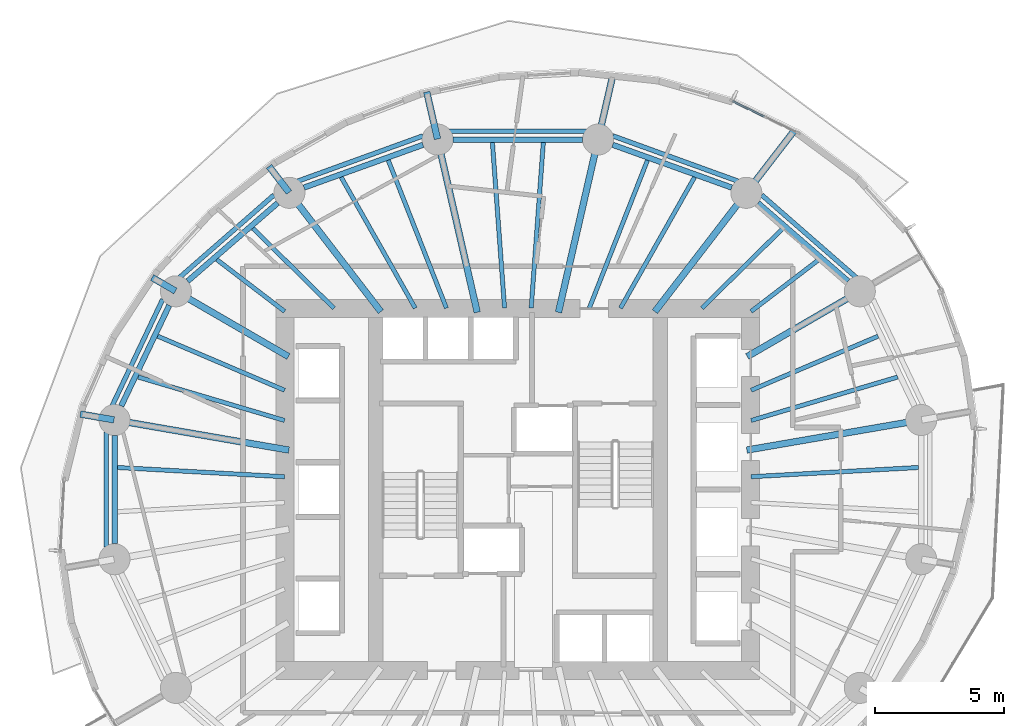
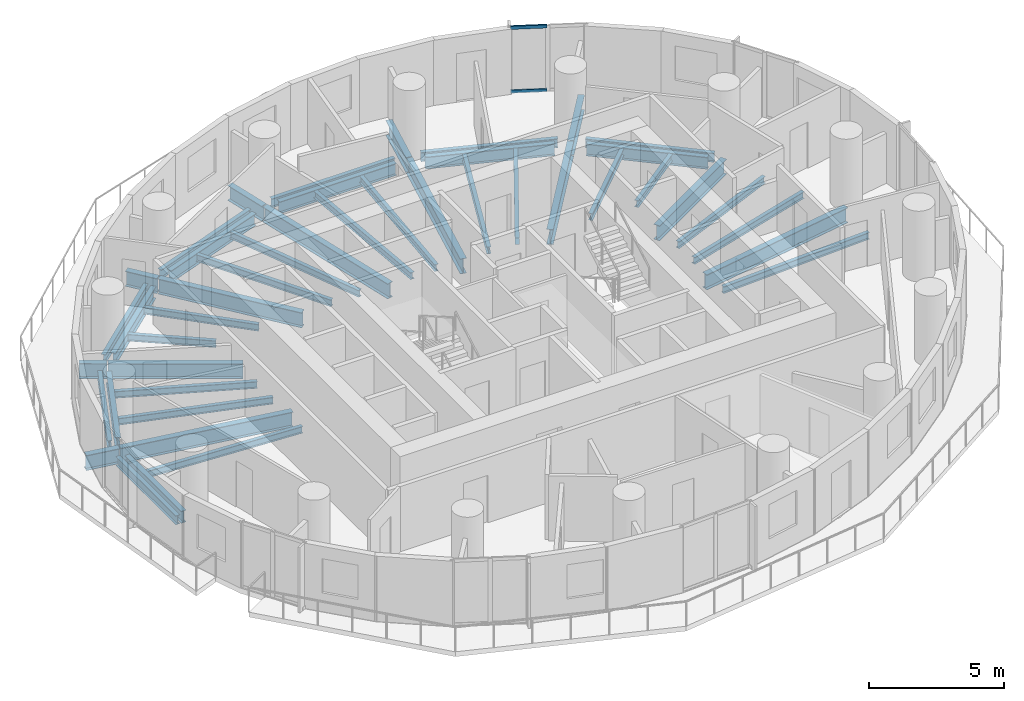
# One storey, part 4 of 15: 44 beams, 2 members, 1 element without a shape of its own.
"""IFC4 building model written with IfcOpenShell, lengths in metres."""

from ifc_helpers import new_model, si_unit, direction, frame, origin, origin_2d, place, context, subcontext, project, spatial, rectangle, i_section, extrude, material, material_profile, profile_set, type_object, element, aggregate, save


model = new_model("IFC4")

# Units and contexts
model_context = context("Model", 3, precision=1e-05, world=origin(), true_north=direction((0.0, 1.0)))
body_context = subcontext(model_context, "Body", "Model", "MODEL_VIEW")
ifc_project = project(units=[si_unit("LENGTHUNIT", "METRE"), si_unit("AREAUNIT", "SQUARE_METRE"), si_unit("VOLUMEUNIT", "CUBIC_METRE"), si_unit("PLANEANGLEUNIT", "RADIAN"), si_unit("MASSUNIT", "GRAM", prefix="KILO")], contexts=[model_context])

# Site, building, storey
site_placement = place(None, origin())
site = spatial("IfcSite", under=ifc_project, at=site_placement, CompositionType="ELEMENT")
building_placement = place(site_placement, origin())
building = spatial("IfcBuilding", under=site, at=building_placement, Name="Veldorim Arch Residences", CompositionType="ELEMENT")
storey_placement = place(building_placement, frame((0.0, 0.0, 106.080078125)))
storey = spatial("IfcBuildingStorey", under=building, at=storey_placement, Name="L31", CompositionType="ELEMENT", Elevation=106.080078125)

# Beams
ifc_material_1 = material(Name="Steel S355", Category="steel")
ifc_material_profile_1 = material_profile(ifc_material_1, i_section(OverallWidth=0.2119140625, OverallDepth=0.54443359375, WebThickness=0.0126953125, FlangeThickness=0.021240234375, at=origin_2d()), Name="UB533x210x122")
ifc_profile_set_1 = profile_set([ifc_material_profile_1], Name="Steel S355")
beam_type_1 = type_object("IfcBeamType", Name="Structural Steel Beam UB533x210x122", PredefinedType="BEAM", material=ifc_profile_set_1)
beam_1_placement = place(storey_placement, frame((44.767333984375, 32.060302734375, -0.51220703125), z_axis=(-0.755244952556, 0.655442645576, 0.0), x_axis=(-0.655442645576, -0.755244952556, 0.0)))
element("IfcBeam", 1, at=beam_1_placement, inside=storey, type_object=beam_type_1, Name="L31 perimeter ring tie beam 02", PredefinedType="BEAM", context=body_context, shape_type="SweptSolid", body=[
    extrude(i_section(OverallWidth=0.2119140625, OverallDepth=0.54443359375, WebThickness=0.0126953125, FlangeThickness=0.021240234375, at=origin_2d()), origin(), (0.0, 0.0, 1.0), 4.608642578125),
])
beam_2_placement = place(storey_placement, frame((40.26904296875, 35.67724609375, -0.51220703125), z_axis=(-0.941041944493, 0.338289903343, 0.0), x_axis=(-0.338289903343, -0.941041944493, 0.0)))
element("IfcBeam", 2, at=beam_2_placement, inside=storey, type_object=beam_type_1, Name="L31 perimeter ring tie beam 03", PredefinedType="BEAM", context=body_context, shape_type="SweptSolid", body=[
    extrude(i_section(OverallWidth=0.2119140625, OverallDepth=0.54443359375, WebThickness=0.0126953125, FlangeThickness=0.021240234375, at=origin_2d()), origin(), (0.0, 0.0, 1.0), 4.890869140625),
])
beam_3_placement = place(storey_placement, frame((34.501953125, 37.534912109375, -0.51220703125), z_axis=(-1.0, 0.0, 0.0), x_axis=(0.0, -1.0, 0.0)))
element("IfcBeam", 3, at=beam_3_placement, inside=storey, type_object=beam_type_1, Name="L31 perimeter ring tie beam 04", PredefinedType="BEAM", context=body_context, shape_type="SweptSolid", body=[
    extrude(i_section(OverallWidth=0.2119140625, OverallDepth=0.54443359375, WebThickness=0.0126953125, FlangeThickness=0.021240234375, at=origin_2d()), origin(), (0.0, 0.0, 1.0), 5.00390625),
])
beam_4_placement = place(storey_placement, frame((28.33349609375, 37.331787109375, -0.51220703125), z_axis=(-0.941041944493, -0.338289903343, 0.0), x_axis=(0.338289903343, -0.941041944493, 0.0)))
element("IfcBeam", 4, at=beam_4_placement, inside=storey, type_object=beam_type_1, Name="L31 perimeter ring tie beam 05", PredefinedType="BEAM", context=body_context, shape_type="SweptSolid", body=[
    extrude(i_section(OverallWidth=0.2119140625, OverallDepth=0.54443359375, WebThickness=0.0126953125, FlangeThickness=0.021240234375, at=origin_2d()), origin(), (0.0, 0.0, 1.0), 4.890869140625),
])
beam_5_placement = place(storey_placement, frame((22.71337890625, 35.0810546875, -0.51220703125), z_axis=(-0.755244952556, -0.655442645576, 0.0), x_axis=(0.655442645576, -0.755244952556, 0.0)))
element("IfcBeam", 5, at=beam_5_placement, inside=storey, type_object=beam_type_1, Name="L31 perimeter ring tie beam 06", PredefinedType="BEAM", context=body_context, shape_type="SweptSolid", body=[
    extrude(i_section(OverallWidth=0.2119140625, OverallDepth=0.54443359375, WebThickness=0.0126953125, FlangeThickness=0.021240234375, at=origin_2d()), origin(), (0.0, 0.0, 1.0), 4.608642578125),
])
beam_6_placement = place(storey_placement, frame((18.521240234375, 31.12548828125, -0.51220703125), z_axis=(-0.430720154476, -0.902485539235, 0.0), x_axis=(0.902485539235, -0.430720154476, 0.0)))
element("IfcBeam", 6, at=beam_6_placement, inside=storey, type_object=beam_type_1, Name="L31 perimeter ring tie beam 07", PredefinedType="BEAM", context=body_context, shape_type="SweptSolid", body=[
    extrude(i_section(OverallWidth=0.2119140625, OverallDepth=0.54443359375, WebThickness=0.0126953125, FlangeThickness=0.021240234375, at=origin_2d()), origin(), (0.0, 0.0, 1.0), 4.312255859375),
])
beam_7_placement = place(storey_placement, frame((16.405517578125, 26.09228515625, -0.51220703125), z_axis=(0.0, -1.0, 0.0), x_axis=(1.0, 0.0, 0.0)))
element("IfcBeam", 7, at=beam_7_placement, inside=storey, type_object=beam_type_1, Name="L31 perimeter ring tie beam 08", PredefinedType="BEAM", context=body_context, shape_type="SweptSolid", body=[
    extrude(i_section(OverallWidth=0.2119140625, OverallDepth=0.54443359375, WebThickness=0.0126953125, FlangeThickness=0.021240234375, at=origin_2d()), origin(), (0.0, 0.0, 1.0), 4.1845703125),
])
ifc_material_2 = material(Name="Steel S355", Category="steel")
ifc_material_profile_2 = material_profile(ifc_material_2, i_section(OverallWidth=0.25439453125, OverallDepth=0.6875, WebThickness=0.01318359375, FlangeThickness=0.02099609375, at=origin_2d()), Name="UB686x254x152")
ifc_profile_set_2 = profile_set([ifc_material_profile_2], Name="Steel S355")
beam_type_2 = type_object("IfcBeamType", Name="Structural Steel GIRDER UB686x254x152", PredefinedType="USERDEFINED", material=ifc_profile_set_2)
beam_8_placement = place(storey_placement, frame((40.852294921875, 25.5283203125, -0.583740234375), z_axis=(0.985426622718, 0.17010106184, 0.0), x_axis=(-0.17010106184, 0.985426622718, 0.0)))
element("IfcBeam", 8, at=beam_8_placement, inside=storey, type_object=beam_type_2, Name="L31 radial floor girder 01", ObjectType="GIRDER", PredefinedType="USERDEFINED", context=body_context, shape_type="SweptSolid", body=[
    extrude(i_section(OverallWidth=0.25439453125, OverallDepth=0.6875, WebThickness=0.01318359375, FlangeThickness=0.02099609375, at=origin_2d()), origin(), (0.0, 0.0, 1.0), 6.82177734375),
])
beam_9_placement = place(storey_placement, frame((40.8701171875, 29.14404296875, -0.583740234375), z_axis=(0.865048957682, 0.501687453314, 0.0), x_axis=(-0.501687453314, 0.865048957682, 0.0)))
element("IfcBeam", 9, at=beam_9_placement, inside=storey, type_object=beam_type_2, Name="L31 radial floor girder 02", ObjectType="GIRDER", PredefinedType="USERDEFINED", context=body_context, shape_type="SweptSolid", body=[
    extrude(i_section(OverallWidth=0.25439453125, OverallDepth=0.6875, WebThickness=0.01318359375, FlangeThickness=0.02099609375, at=origin_2d()), origin(), (0.0, 0.0, 1.0), 5.009033203125),
])
beam_10_placement = place(storey_placement, frame((37.297607421875, 30.881103515625, -0.583740234375), z_axis=(0.609994628196, 0.792405548676, 0.0), x_axis=(-0.792405548676, 0.609994628196, 0.0)))
element("IfcBeam", 10, at=beam_10_placement, inside=storey, type_object=beam_type_2, Name="L31 radial floor girder 03", ObjectType="GIRDER", PredefinedType="USERDEFINED", context=body_context, shape_type="SweptSolid", body=[
    extrude(i_section(OverallWidth=0.25439453125, OverallDepth=0.6875, WebThickness=0.01318359375, FlangeThickness=0.02099609375, at=origin_2d()), origin(), (0.0, 0.0, 1.0), 5.776611328125),
])
beam_11_placement = place(storey_placement, frame((40.845703125, 35.489990234375, -0.583740234375), z_axis=(0.610006503027, 0.792396407277, 0.0), x_axis=(-0.792396407277, 0.610006503027, 0.0)))
element("IfcBeam", 11, at=beam_11_placement, inside=storey, type_object=beam_type_2, Name="L31 radial edge cantilever girder 03", ObjectType="GIRDER", PredefinedType="USERDEFINED", context=body_context, shape_type="SweptSolid", body=[
    extrude(i_section(OverallWidth=0.25439453125, OverallDepth=0.6875, WebThickness=0.01318359375, FlangeThickness=0.02099609375, at=origin_2d()), origin(), (0.0, 0.0, 1.0), 2.99169921875),
])
beam_12_placement = place(storey_placement, frame((33.57080078125, 30.853759765625, -0.583740234375), z_axis=(0.223374742148, 0.97473264261, 0.0), x_axis=(-0.97473264261, 0.223374742148, 0.0)))
element("IfcBeam", 12, at=beam_12_placement, inside=storey, type_object=beam_type_2, Name="L31 radial floor girder 04", ObjectType="GIRDER", PredefinedType="USERDEFINED", context=body_context, shape_type="SweptSolid", body=[
    extrude(i_section(OverallWidth=0.25439453125, OverallDepth=0.6875, WebThickness=0.01318359375, FlangeThickness=0.02099609375, at=origin_2d()), origin(), (0.0, 0.0, 1.0), 6.834228515625),
])
beam_13_placement = place(storey_placement, frame((35.1064453125, 37.55419921875, -0.583740234375), z_axis=(0.223351330049, 0.974738007552, 0.0), x_axis=(-0.974738007552, 0.223351330049, 0.0)))
element("IfcBeam", 13, at=beam_13_placement, inside=storey, type_object=beam_type_2, Name="L31 radial edge cantilever girder 04", ObjectType="GIRDER", PredefinedType="USERDEFINED", context=body_context, shape_type="SweptSolid", body=[
    extrude(i_section(OverallWidth=0.25439453125, OverallDepth=0.6875, WebThickness=0.01318359375, FlangeThickness=0.02099609375, at=origin_2d()), origin(), (0.0, 0.0, 1.0), 2.530517578125),
])
beam_14_placement = place(storey_placement, frame((30.42919921875, 30.853759765625, -0.583740234375), z_axis=(-0.223374742148, 0.97473264261, 0.0), x_axis=(-0.97473264261, -0.223374742148, 0.0)))
element("IfcBeam", 14, at=beam_14_placement, inside=storey, type_object=beam_type_2, Name="L31 radial floor girder 05", ObjectType="GIRDER", PredefinedType="USERDEFINED", context=body_context, shape_type="SweptSolid", body=[
    extrude(i_section(OverallWidth=0.25439453125, OverallDepth=0.6875, WebThickness=0.01318359375, FlangeThickness=0.02099609375, at=origin_2d()), origin(), (0.0, 0.0, 1.0), 6.834228515625),
])
beam_15_placement = place(storey_placement, frame((28.8935546875, 37.55419921875, -0.583740234375), z_axis=(-0.22332180692, 0.974744772007, 0.0), x_axis=(-0.974744772007, -0.22332180692, 0.0)))
element("IfcBeam", 15, at=beam_15_placement, inside=storey, type_object=beam_type_2, Name="L31 radial edge cantilever girder 05", ObjectType="GIRDER", PredefinedType="USERDEFINED", context=body_context, shape_type="SweptSolid", body=[
    extrude(i_section(OverallWidth=0.25439453125, OverallDepth=0.6875, WebThickness=0.01318359375, FlangeThickness=0.02099609375, at=origin_2d()), origin(), (0.0, 0.0, 1.0), 1.8671875),
])
beam_16_placement = place(storey_placement, frame((26.702392578125, 30.881103515625, -0.583740234375), z_axis=(-0.609994628196, 0.792405548676, 0.0), x_axis=(-0.792405548676, -0.609994628196, 0.0)))
element("IfcBeam", 16, at=beam_16_placement, inside=storey, type_object=beam_type_2, Name="L31 radial floor girder 06", ObjectType="GIRDER", PredefinedType="USERDEFINED", context=body_context, shape_type="SweptSolid", body=[
    extrude(i_section(OverallWidth=0.25439453125, OverallDepth=0.6875, WebThickness=0.01318359375, FlangeThickness=0.02099609375, at=origin_2d()), origin(), (0.0, 0.0, 1.0), 5.776611328125),
])
beam_17_placement = place(storey_placement, frame((23.154296875, 35.489990234375, -0.583740234375), z_axis=(-0.610026114637, 0.792381309384, 0.0), x_axis=(-0.792381309384, -0.610026114637, 0.0)))
element("IfcBeam", 17, at=beam_17_placement, inside=storey, type_object=beam_type_2, Name="L31 radial edge cantilever girder 06", ObjectType="GIRDER", PredefinedType="USERDEFINED", context=body_context, shape_type="SweptSolid", body=[
    extrude(i_section(OverallWidth=0.25439453125, OverallDepth=0.6875, WebThickness=0.01318359375, FlangeThickness=0.02099609375, at=origin_2d()), origin(), (0.0, 0.0, 1.0), 1.27197265625),
])
beam_18_placement = place(storey_placement, frame((23.1298828125, 29.14404296875, -0.583740234375), z_axis=(-0.865048957682, 0.501687453314, 0.0), x_axis=(-0.501687453314, -0.865048957682, 0.0)))
element("IfcBeam", 18, at=beam_18_placement, inside=storey, type_object=beam_type_2, Name="L31 radial floor girder 07", ObjectType="GIRDER", PredefinedType="USERDEFINED", context=body_context, shape_type="SweptSolid", body=[
    extrude(i_section(OverallWidth=0.25439453125, OverallDepth=0.6875, WebThickness=0.01318359375, FlangeThickness=0.02099609375, at=origin_2d()), origin(), (0.0, 0.0, 1.0), 5.009033203125),
])
beam_19_placement = place(storey_placement, frame((18.76220703125, 31.677001953125, -0.583740234375), z_axis=(-0.865063622803, 0.501662165708, 0.0), x_axis=(-0.501662165708, -0.865063622803, 0.0)))
element("IfcBeam", 19, at=beam_19_placement, inside=storey, type_object=beam_type_2, Name="L31 radial edge cantilever girder 07", ObjectType="GIRDER", PredefinedType="USERDEFINED", context=body_context, shape_type="SweptSolid", body=[
    extrude(i_section(OverallWidth=0.25439453125, OverallDepth=0.6875, WebThickness=0.01318359375, FlangeThickness=0.02099609375, at=origin_2d()), origin(), (0.0, 0.0, 1.0), 1.04541015625),
])
beam_20_placement = place(storey_placement, frame((23.147705078125, 25.5283203125, -0.583740234375), z_axis=(-0.985426622718, 0.17010106184, 0.0), x_axis=(-0.17010106184, -0.985426622718, 0.0)))
element("IfcBeam", 20, at=beam_20_placement, inside=storey, type_object=beam_type_2, Name="L31 radial floor girder 08", ObjectType="GIRDER", PredefinedType="USERDEFINED", context=body_context, shape_type="SweptSolid", body=[
    extrude(i_section(OverallWidth=0.25439453125, OverallDepth=0.6875, WebThickness=0.01318359375, FlangeThickness=0.02099609375, at=origin_2d()), origin(), (0.0, 0.0, 1.0), 6.82177734375),
])
beam_21_placement = place(storey_placement, frame((16.3857421875, 26.695556640625, -0.583740234375), z_axis=(-0.985414257331, 0.170172681262, 0.0), x_axis=(-0.170172681262, -0.985414257331, 0.0)))
element("IfcBeam", 21, at=beam_21_placement, inside=storey, type_object=beam_type_2, Name="L31 radial edge cantilever girder 08", ObjectType="GIRDER", PredefinedType="USERDEFINED", context=body_context, shape_type="SweptSolid", body=[
    extrude(i_section(OverallWidth=0.25439453125, OverallDepth=0.6875, WebThickness=0.01318359375, FlangeThickness=0.02099609375, at=origin_2d()), origin(), (0.0, 0.0, 1.0), 1.32275390625),
])
ifc_material_3 = material(Name="Steel S355", Category="steel")
ifc_material_profile_3 = material_profile(ifc_material_3, i_section(OverallWidth=0.165771484375, OverallDepth=0.306640625, WebThickness=0.006591796875, FlangeThickness=0.01171875, at=origin_2d()), Name="UB305x165x46")
ifc_profile_set_3 = profile_set([ifc_material_profile_3], Name="Steel S355")
beam_type_3 = type_object("IfcBeamType", Name="Structural Steel Joist UB305x165x46", PredefinedType="JOIST", material=ifc_profile_set_3)
beam_22_placement = place(storey_placement, frame((41.019287109375, 26.673583984375, -0.393310546875), z_axis=(0.958753061488, 0.284240333324, 0.0), x_axis=(-0.284240333324, 0.958753061488, 0.0)))
element("IfcBeam", 22, at=beam_22_placement, inside=storey, type_object=beam_type_3, Name="L31 secondary radial floor joist 01-1", PredefinedType="JOIST", context=body_context, shape_type="SweptSolid", body=[
    extrude(i_section(OverallWidth=0.165771484375, OverallDepth=0.306640625, WebThickness=0.006591796875, FlangeThickness=0.01171875, at=origin_2d()), origin(), (0.0, 0.0, 1.0), 5.906005859375),
])
beam_23_placement = place(storey_placement, frame((41.018310546875, 27.841552734375, -0.393310546875), z_axis=(0.919997395122, 0.391924473552, 0.0), x_axis=(-0.391924473552, 0.919997395122, 0.0)))
element("IfcBeam", 23, at=beam_23_placement, inside=storey, type_object=beam_type_3, Name="L31 secondary radial floor joist 01-2", PredefinedType="JOIST", context=body_context, shape_type="SweptSolid", body=[
    extrude(i_section(OverallWidth=0.165771484375, OverallDepth=0.306640625, WebThickness=0.006591796875, FlangeThickness=0.01171875, at=origin_2d()), origin(), (0.0, 0.0, 1.0), 5.334716796875),
])
beam_24_placement = place(storey_placement, frame((41.015869140625, 30.888427734375, -0.393310546875), z_axis=(0.794594763594, 0.60714014994, 0.0), x_axis=(-0.60714014994, 0.794594763594, 0.0)))
element("IfcBeam", 24, at=beam_24_placement, inside=storey, type_object=beam_type_3, Name="L31 secondary radial floor joist 02-1", PredefinedType="JOIST", context=body_context, shape_type="SweptSolid", body=[
    extrude(i_section(OverallWidth=0.165771484375, OverallDepth=0.306640625, WebThickness=0.006591796875, FlangeThickness=0.01171875, at=origin_2d()), origin(), (0.0, 0.0, 1.0), 3.30419921875),
])
beam_25_placement = place(storey_placement, frame((39.114013671875, 31.013916015625, -0.393310546875), z_axis=(0.712111629941, 0.702066255066, 0.0), x_axis=(-0.702066255066, 0.712111629941, 0.0)))
element("IfcBeam", 25, at=beam_25_placement, inside=storey, type_object=beam_type_3, Name="L31 secondary radial floor joist 02-2", PredefinedType="JOIST", context=body_context, shape_type="SweptSolid", body=[
    extrude(i_section(OverallWidth=0.165771484375, OverallDepth=0.306640625, WebThickness=0.006591796875, FlangeThickness=0.01171875, at=origin_2d()), origin(), (0.0, 0.0, 1.0), 4.39892578125),
])
beam_26_placement = place(storey_placement, frame((35.96826171875, 31.017333984375, -0.393310546875), z_axis=(0.492227411199, 0.870466642476, 0.0), x_axis=(-0.870466642476, 0.492227411199, 0.0)))
element("IfcBeam", 26, at=beam_26_placement, inside=storey, type_object=beam_type_3, Name="L31 secondary radial floor joist 03-1", PredefinedType="JOIST", context=body_context, shape_type="SweptSolid", body=[
    extrude(i_section(OverallWidth=0.165771484375, OverallDepth=0.306640625, WebThickness=0.006591796875, FlangeThickness=0.01171875, at=origin_2d()), origin(), (0.0, 0.0, 1.0), 5.81494140625),
])
beam_27_placement = place(storey_placement, frame((34.761962890625, 31.0185546875, -0.393310546875), z_axis=(0.366194870364, 0.930538186707, 0.0), x_axis=(-0.930538186707, 0.366194870364, 0.0)))
element("IfcBeam", 27, at=beam_27_placement, inside=storey, type_object=beam_type_3, Name="L31 secondary radial floor joist 03-2", PredefinedType="JOIST", context=body_context, shape_type="SweptSolid", body=[
    extrude(i_section(OverallWidth=0.165771484375, OverallDepth=0.306640625, WebThickness=0.006591796875, FlangeThickness=0.01171875, at=origin_2d()), origin(), (0.0, 0.0, 1.0), 6.1396484375),
])
for number, where, z_axis, x_axis, name in (
    (28, (32.514892578125, 31.02001953125, -0.393310546875), (0.073143494169, 0.997321427254, 0.0), (-0.997321427254, 0.073143494169, 0.0), "L31 secondary radial floor joist 04-1"),
    (29, (31.485107421875, 31.02001953125, -0.393310546875), (-0.073143494169, 0.997321427254, 0.0), (-0.997321427254, -0.073143494169, 0.0), "L31 secondary radial floor joist 04-2"),
):
    element("IfcBeam", number, at=place(storey_placement, frame(where, z_axis=z_axis, x_axis=x_axis)), inside=storey, type_object=beam_type_3, Name=name, PredefinedType="JOIST", context=body_context, shape_type="SweptSolid", body=[
        extrude(i_section(OverallWidth=0.165771484375, OverallDepth=0.306640625, WebThickness=0.006591796875, FlangeThickness=0.01171875, at=origin_2d()), origin(), (0.0, 0.0, 1.0), 6.421875),
    ])
beam_28_placement = place(storey_placement, frame((29.238037109375, 31.0185546875, -0.393310546875), z_axis=(-0.366194870364, 0.930538186707, 0.0), x_axis=(-0.930538186707, -0.366194870364, 0.0)))
element("IfcBeam", 30, at=beam_28_placement, inside=storey, type_object=beam_type_3, Name="L31 secondary radial floor joist 05-1", PredefinedType="JOIST", context=body_context, shape_type="SweptSolid", body=[
    extrude(i_section(OverallWidth=0.165771484375, OverallDepth=0.306640625, WebThickness=0.006591796875, FlangeThickness=0.01171875, at=origin_2d()), origin(), (0.0, 0.0, 1.0), 6.1396484375),
])
beam_29_placement = place(storey_placement, frame((28.03173828125, 31.017333984375, -0.393310546875), z_axis=(-0.492227411199, 0.870466642476, 0.0), x_axis=(-0.870466642476, -0.492227411199, 0.0)))
element("IfcBeam", 31, at=beam_29_placement, inside=storey, type_object=beam_type_3, Name="L31 secondary radial floor joist 05-2", PredefinedType="JOIST", context=body_context, shape_type="SweptSolid", body=[
    extrude(i_section(OverallWidth=0.165771484375, OverallDepth=0.306640625, WebThickness=0.006591796875, FlangeThickness=0.01171875, at=origin_2d()), origin(), (0.0, 0.0, 1.0), 5.81494140625),
])
beam_30_placement = place(storey_placement, frame((24.885986328125, 31.013916015625, -0.393310546875), z_axis=(-0.712111629941, 0.702066255066, 0.0), x_axis=(-0.702066255066, -0.712111629941, 0.0)))
element("IfcBeam", 32, at=beam_30_placement, inside=storey, type_object=beam_type_3, Name="L31 secondary radial floor joist 06-1", PredefinedType="JOIST", context=body_context, shape_type="SweptSolid", body=[
    extrude(i_section(OverallWidth=0.165771484375, OverallDepth=0.306640625, WebThickness=0.006591796875, FlangeThickness=0.01171875, at=origin_2d()), origin(), (0.0, 0.0, 1.0), 4.39892578125),
])
beam_31_placement = place(storey_placement, frame((22.984130859375, 30.888427734375, -0.393310546875), z_axis=(-0.794594763594, 0.60714014994, 0.0), x_axis=(-0.60714014994, -0.794594763594, 0.0)))
element("IfcBeam", 33, at=beam_31_placement, inside=storey, type_object=beam_type_3, Name="L31 secondary radial floor joist 06-2", PredefinedType="JOIST", context=body_context, shape_type="SweptSolid", body=[
    extrude(i_section(OverallWidth=0.165771484375, OverallDepth=0.306640625, WebThickness=0.006591796875, FlangeThickness=0.01171875, at=origin_2d()), origin(), (0.0, 0.0, 1.0), 3.30419921875),
])
beam_32_placement = place(storey_placement, frame((22.981689453125, 27.841552734375, -0.393310546875), z_axis=(-0.919997395122, 0.391924473552, 0.0), x_axis=(-0.391924473552, -0.919997395122, 0.0)))
element("IfcBeam", 34, at=beam_32_placement, inside=storey, type_object=beam_type_3, Name="L31 secondary radial floor joist 07-1", PredefinedType="JOIST", context=body_context, shape_type="SweptSolid", body=[
    extrude(i_section(OverallWidth=0.165771484375, OverallDepth=0.306640625, WebThickness=0.006591796875, FlangeThickness=0.01171875, at=origin_2d()), origin(), (0.0, 0.0, 1.0), 5.334716796875),
])
beam_33_placement = place(storey_placement, frame((22.980712890625, 26.673583984375, -0.393310546875), z_axis=(-0.958753061488, 0.284240333324, 0.0), x_axis=(-0.284240333324, -0.958753061488, 0.0)))
element("IfcBeam", 35, at=beam_33_placement, inside=storey, type_object=beam_type_3, Name="L31 secondary radial floor joist 07-2", PredefinedType="JOIST", context=body_context, shape_type="SweptSolid", body=[
    extrude(i_section(OverallWidth=0.165771484375, OverallDepth=0.306640625, WebThickness=0.006591796875, FlangeThickness=0.01171875, at=origin_2d()), origin(), (0.0, 0.0, 1.0), 5.906005859375),
])
for number, where, z_axis, x_axis, name in (
    (36, (22.97998046875, 24.498291015625, -0.393310546875), (-0.99847713097, 0.055167190702, 0.0), (-0.055167190702, -0.99847713097, 0.0), "L31 secondary radial floor joist 08-1"),
    (37, (41.02001953125, 24.498291015625, -0.393310546875), (0.99847713097, 0.055167190702, 0.0), (-0.055167190702, 0.99847713097, 0.0), "L31 secondary radial floor joist 16-2"),
):
    element("IfcBeam", number, at=place(storey_placement, frame(where, z_axis=z_axis, x_axis=x_axis)), inside=storey, type_object=beam_type_3, Name=name, PredefinedType="JOIST", context=body_context, shape_type="SweptSolid", body=[
        extrude(i_section(OverallWidth=0.165771484375, OverallDepth=0.306640625, WebThickness=0.006591796875, FlangeThickness=0.01171875, at=origin_2d()), origin(), (0.0, 0.0, 1.0), 6.474365234375),
    ])
ifc_material_4 = material(Name="Steel S355", Category="steel")
ifc_material_profile_4 = material_profile(ifc_material_4, i_section(OverallWidth=0.1787109375, OverallDepth=0.409423828125, WebThickness=0.0087890625, FlangeThickness=0.014404296875, at=origin_2d()), Name="UB406x178x67")
ifc_profile_set_4 = profile_set([ifc_material_profile_4], Name="Steel S355")
beam_type_4 = type_object("IfcBeamType", Name="Structural Steel Spandrel UB406x178x67", PredefinedType="SPANDREL", material=ifc_profile_set_4)
beam_34_placement = place(storey_placement, frame((45.108154296875, 32.1796875, -0.46484375), z_axis=(-0.753323239074, 0.65765043714, 0.0), x_axis=(-0.65765043714, -0.753323239074, 0.0)))
element("IfcBeam", 38, at=beam_34_placement, inside=storey, type_object=beam_type_4, Name="L31 perimeter chord spandrel beam 02", PredefinedType="SPANDREL", context=body_context, shape_type="SweptSolid", body=[
    extrude(i_section(OverallWidth=0.1787109375, OverallDepth=0.409423828125, WebThickness=0.0087890625, FlangeThickness=0.014404296875, at=origin_2d()), origin(), (0.0, 0.0, 1.0), 4.879150390625),
])
beam_35_placement = place(storey_placement, frame((40.538330078125, 35.91552734375, -0.46484375), z_axis=(-0.940307501418, 0.340326024244, 0.0), x_axis=(-0.340326024244, -0.940307501418, 0.0)))
element("IfcBeam", 39, at=beam_35_placement, inside=storey, type_object=beam_type_4, Name="L31 perimeter chord spandrel beam 03", PredefinedType="SPANDREL", context=body_context, shape_type="SweptSolid", body=[
    extrude(i_section(OverallWidth=0.1787109375, OverallDepth=0.409423828125, WebThickness=0.0087890625, FlangeThickness=0.014404296875, at=origin_2d()), origin(), (0.0, 0.0, 1.0), 5.175048828125),
])
beam_36_placement = place(storey_placement, frame((34.647705078125, 37.8564453125, -0.46484375), z_axis=(-1.0, 0.0, 0.0), x_axis=(0.0, -1.0, 0.0)))
element("IfcBeam", 40, at=beam_36_placement, inside=storey, type_object=beam_type_4, Name="L31 perimeter chord spandrel beam 04", PredefinedType="SPANDREL", context=body_context, shape_type="SweptSolid", body=[
    extrude(i_section(OverallWidth=0.1787109375, OverallDepth=0.409423828125, WebThickness=0.0087890625, FlangeThickness=0.014404296875, at=origin_2d()), origin(), (0.0, 0.0, 1.0), 5.29541015625),
])
beam_37_placement = place(storey_placement, frame((28.327880859375, 37.6767578125, -0.46484375), z_axis=(-0.940307501418, -0.340326024244, 0.0), x_axis=(0.340326024244, -0.940307501418, 0.0)))
element("IfcBeam", 41, at=beam_37_placement, inside=storey, type_object=beam_type_4, Name="L31 perimeter chord spandrel beam 05", PredefinedType="SPANDREL", context=body_context, shape_type="SweptSolid", body=[
    extrude(i_section(OverallWidth=0.1787109375, OverallDepth=0.409423828125, WebThickness=0.0087890625, FlangeThickness=0.014404296875, at=origin_2d()), origin(), (0.0, 0.0, 1.0), 5.175048828125),
])
beam_38_placement = place(storey_placement, frame((22.5673828125, 35.388427734375, -0.46484375), z_axis=(-0.753323239074, -0.65765043714, 0.0), x_axis=(0.65765043714, -0.753323239074, 0.0)))
element("IfcBeam", 42, at=beam_38_placement, inside=storey, type_object=beam_type_4, Name="L31 perimeter chord spandrel beam 06", PredefinedType="SPANDREL", context=body_context, shape_type="SweptSolid", body=[
    extrude(i_section(OverallWidth=0.1787109375, OverallDepth=0.409423828125, WebThickness=0.0087890625, FlangeThickness=0.014404296875, at=origin_2d()), origin(), (0.0, 0.0, 1.0), 4.879150390625),
])
beam_39_placement = place(storey_placement, frame((18.267578125, 31.35546875, -0.46484375), z_axis=(-0.428857472204, -0.903372165021, 0.0), x_axis=(0.903372165021, -0.428857472204, 0.0)))
element("IfcBeam", 43, at=beam_39_placement, inside=storey, type_object=beam_type_4, Name="L31 perimeter chord spandrel beam 07", PredefinedType="SPANDREL", context=body_context, shape_type="SweptSolid", body=[
    extrude(i_section(OverallWidth=0.1787109375, OverallDepth=0.409423828125, WebThickness=0.0087890625, FlangeThickness=0.014404296875, at=origin_2d()), origin(), (0.0, 0.0, 1.0), 4.572021484375),
])
beam_40_placement = place(storey_placement, frame((16.080322265625, 26.22021484375, -0.46484375), z_axis=(0.0, -1.0, 0.0), x_axis=(1.0, 0.0, 0.0)))
element("IfcBeam", 44, at=beam_40_placement, inside=storey, type_object=beam_type_4, Name="L31 perimeter chord spandrel beam 08", PredefinedType="SPANDREL", context=body_context, shape_type="SweptSolid", body=[
    extrude(i_section(OverallWidth=0.1787109375, OverallDepth=0.409423828125, WebThickness=0.0087890625, FlangeThickness=0.014404296875, at=origin_2d()), origin(), (0.0, 0.0, 1.0), 4.4404296875),
])

# Curtain wall, members
ifc_material_5 = material(Name="Aluminium", Category="aluminium")
curtain_wall_type = type_object("IfcCurtainWallType", Name="Zone 2 Solar-Control Unitised Curtain Wall", PredefinedType="NOTDEFINED", material=ifc_material_5)
curtain_wall_placement = place(storey_placement, origin())
curtain_wall = element("IfcCurtainWall", 45, at=curtain_wall_placement, inside=storey, type_object=curtain_wall_type, Name="L31 unitised curtain wall bay 04", PredefinedType="NOTDEFINED")
ifc_material_6 = material(Name="Aluminium", Category="aluminium")
ifc_material_profile_5 = material_profile(ifc_material_6, rectangle(XDim=0.06494140625, YDim=0.14501953125, at=origin_2d()), Name="ALU_TRN_65x145")
ifc_profile_set_5 = profile_set([ifc_material_profile_5], Name="Aluminium")
member_type = type_object("IfcMemberType", Name="Zone 2 Solar-Control Unitised Curtain Wall Transom 65x145", PredefinedType="USERDEFINED", material=ifc_profile_set_5)
member_1_placement = place(storey_placement, frame((40.31005859375, 39.016357421875, 0.032470703125), z_axis=(0.899427024625, -0.437070963774, 0.0), x_axis=(0.437070963774, 0.899427024625, 0.0)))
member_1 = element("IfcMember", 46, at=member_1_placement, type_object=member_type, Name="CW-Z2 transom 1.1", ObjectType="TRANSOM", PredefinedType="USERDEFINED", context=body_context, shape_type="SweptSolid", body=[
    extrude(rectangle(XDim=0.06494140625, YDim=0.14501953125, at=origin_2d()), origin(), (0.0, 0.0, 1.0), 1.351806640625),
])
member_2_placement = place(storey_placement, frame((40.31005859375, 39.016357421875, 2.927490234375), z_axis=(0.899427024625, -0.437070963774, 0.0), x_axis=(0.437070963774, 0.899427024625, 0.0)))
member_2 = element("IfcMember", 47, at=member_2_placement, type_object=member_type, Name="CW-Z2 transom 1.2", ObjectType="TRANSOM", PredefinedType="USERDEFINED", context=body_context, shape_type="SweptSolid", body=[
    extrude(rectangle(XDim=0.06494140625, YDim=0.14501953125, at=origin_2d()), origin(), (0.0, 0.0, 1.0), 1.351806640625),
])
aggregate(curtain_wall, [member_1, member_2])

save(model, "model.ifc")
